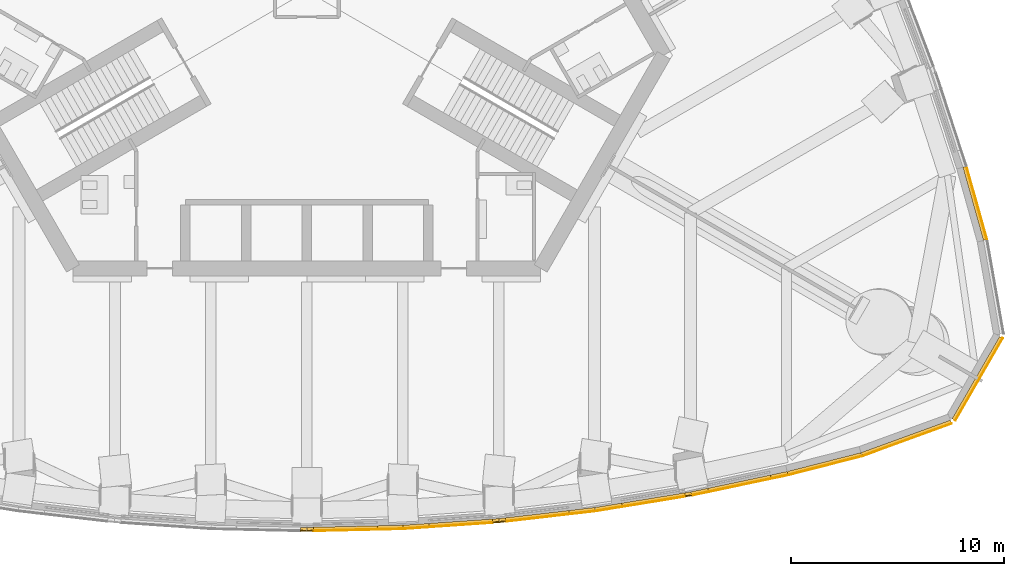
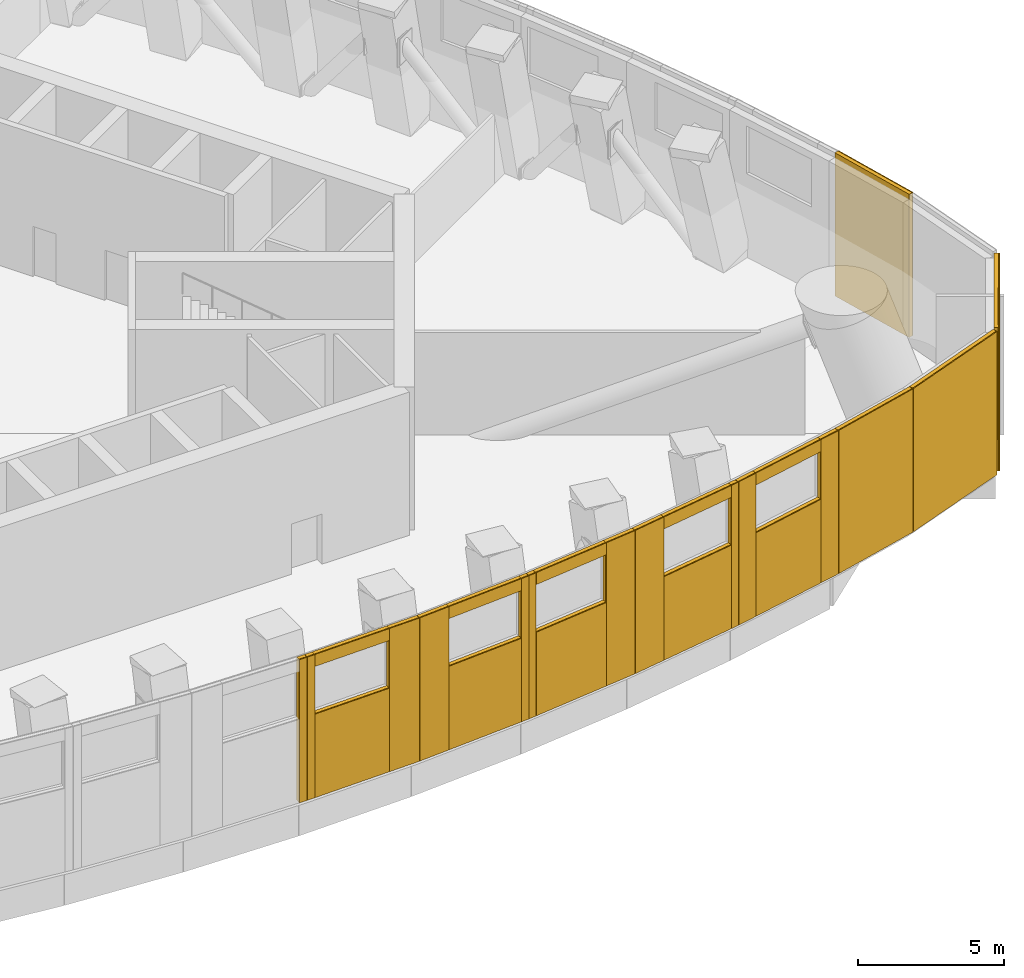
# One storey, part 13 of 22: 50 coverings.
"""IFC4 building model written with IfcOpenShell, lengths in metres."""

from ifc_helpers import new_model, si_unit, direction, frame, origin, origin_2d, place, context, subcontext, project, spatial, rectangle, extrude, material, layer, layer_set, type_object, element, save


model = new_model("IFC4")

# Units and contexts
model_context = context("Model", 3, precision=1e-05, world=origin(), true_north=direction((0.0, 1.0)))
body_context = subcontext(model_context, "Body", "Model", "MODEL_VIEW")
ifc_project = project(units=[si_unit("LENGTHUNIT", "METRE"), si_unit("AREAUNIT", "SQUARE_METRE"), si_unit("VOLUMEUNIT", "CUBIC_METRE"), si_unit("PLANEANGLEUNIT", "RADIAN"), si_unit("MASSUNIT", "GRAM", prefix="KILO")], contexts=[model_context])

# Site, building, storey
site_placement = place(None, origin())
site = spatial("IfcSite", under=ifc_project, at=site_placement, CompositionType="ELEMENT")
building_placement = place(site_placement, origin())
building = spatial("IfcBuilding", under=site, at=building_placement, Name="Trefoil Bronze Tower", CompositionType="ELEMENT")
storey_placement = place(building_placement, frame((0.0, 0.0, 265.300048828125)))
storey = spatial("IfcBuildingStorey", under=building, at=storey_placement, Name="L61", CompositionType="ELEMENT", Elevation=265.300048828125)

# Coverings
ifc_material_1 = material(Name="Bronze-finish aluminium rainscreen panel on aluminium rails", Category="aluminium")
ifc_layer_1 = layer(ifc_material_1, 0.0400390625)
ifc_layer_set_1 = layer_set([ifc_layer_1], Name="Bronze cladding panel 40")
covering_type_1 = type_object("IfcCoveringType", Name="Bronze cladding panel 40", PredefinedType="CLADDING", material=ifc_layer_set_1)
for number, where, z_axis, x_axis, name in (
    (1, (-0.1572265625, -25.317138671875, 0.0), (0.0, 0.0, 1.0), (0.999736116241, -0.022971675665, 0.0), "Cladding panel L61 Face 1.6 piece 2"),
    (2, (0.1572265625, -25.317138671875, 0.0), (0.0, 0.0, 1.0), (0.999736116241, 0.022971675665, 0.0), "Cladding panel L61 Face 1.7 piece 1"),
):
    element("IfcCovering", number, at=place(storey_placement, frame(where, z_axis=z_axis, x_axis=x_axis)), inside=storey, type_object=covering_type_1, Name=name, PredefinedType="CLADDING", context=body_context, shape_type="SweptSolid", body=[
        extrude(rectangle(XDim=0.300048828125, YDim=0.0400390625, at=origin_2d()), origin(), (0.0, 0.0, 1.0), 6.0),
    ])
covering_1_placement = place(storey_placement, frame((3.906982421875, -25.23095703125, 0.0), z_axis=(0.0, 0.0, 1.0), x_axis=(0.999736116241, 0.022971675665, 0.0)))
element("IfcCovering", 3, at=covering_1_placement, inside=storey, type_object=covering_type_1, Name="Cladding panel L61 Face 1.7 piece 2", PredefinedType="CLADDING", context=body_context, shape_type="SweptSolid", body=[
    extrude(rectangle(XDim=1.201171875, YDim=0.0400390625, at=origin_2d()), origin(), (0.0, 0.0, 1.0), 6.0),
])
covering_2_placement = place(storey_placement, frame((1.806884765625, -25.279296875, 0.0), z_axis=(0.0, 0.0, 1.0), x_axis=(0.999736116241, 0.022971675665, 0.0)))
element("IfcCovering", 4, at=covering_2_placement, inside=storey, type_object=covering_type_1, Name="Cladding panel L61 Face 1.7 piece 3", PredefinedType="CLADDING", context=body_context, shape_type="SweptSolid", body=[
    extrude(rectangle(XDim=3.0, YDim=0.0400390625, at=origin_2d()), origin(), (0.0, 0.0, 1.0), 3.5),
])
covering_3_placement = place(storey_placement, frame((1.806884765625, -25.279296875, 5.5), z_axis=(0.0, 0.0, 1.0), x_axis=(0.999736116241, 0.022971675665, 0.0)))
element("IfcCovering", 5, at=covering_3_placement, inside=storey, type_object=covering_type_1, Name="Cladding panel L61 Face 1.7 piece 4", PredefinedType="CLADDING", context=body_context, shape_type="SweptSolid", body=[
    extrude(rectangle(XDim=3.0, YDim=0.0400390625, at=origin_2d()), origin(), (0.0, 0.0, 1.0), 0.5),
])
covering_4_placement = place(storey_placement, frame((5.1259765625, -25.1748046875, 0.0), z_axis=(0.0, 0.0, 1.0), x_axis=(0.997622528046, 0.068915103818, 0.0)))
element("IfcCovering", 6, at=covering_4_placement, inside=storey, type_object=covering_type_1, Name="Cladding panel L61 Face 1.8 piece 1", PredefinedType="CLADDING", context=body_context, shape_type="SweptSolid", body=[
    extrude(rectangle(XDim=1.210693359375, YDim=0.0400390625, at=origin_2d()), origin(), (0.0, 0.0, 1.0), 6.0),
])
covering_5_placement = place(storey_placement, frame((8.872314453125, -24.916015625, 0.0), z_axis=(0.0, 0.0, 1.0), x_axis=(0.997622528046, 0.068915103818, 0.0)))
element("IfcCovering", 7, at=covering_5_placement, inside=storey, type_object=covering_type_1, Name="Cladding panel L61 Face 1.8 piece 2", PredefinedType="CLADDING", context=body_context, shape_type="SweptSolid", body=[
    extrude(rectangle(XDim=0.300048828125, YDim=0.0400390625, at=origin_2d()), origin(), (0.0, 0.0, 1.0), 6.0),
])
covering_6_placement = place(storey_placement, frame((7.226318359375, -25.02978515625, 0.0), z_axis=(0.0, 0.0, 1.0), x_axis=(0.997622528046, 0.068915103818, 0.0)))
element("IfcCovering", 8, at=covering_6_placement, inside=storey, type_object=covering_type_1, Name="Cladding panel L61 Face 1.8 piece 3", PredefinedType="CLADDING", context=body_context, shape_type="SweptSolid", body=[
    extrude(rectangle(XDim=3.0, YDim=0.0400390625, at=origin_2d()), origin(), (0.0, 0.0, 1.0), 3.5),
])
covering_7_placement = place(storey_placement, frame((7.226318359375, -25.02978515625, 5.5), z_axis=(0.0, 0.0, 1.0), x_axis=(0.997622528046, 0.068915103818, 0.0)))
element("IfcCovering", 9, at=covering_7_placement, inside=storey, type_object=covering_type_1, Name="Cladding panel L61 Face 1.8 piece 4", PredefinedType="CLADDING", context=body_context, shape_type="SweptSolid", body=[
    extrude(rectangle(XDim=3.0, YDim=0.0400390625, at=origin_2d()), origin(), (0.0, 0.0, 1.0), 0.5),
])
covering_8_placement = place(storey_placement, frame((9.185791015625, -24.886962890625, 0.0), z_axis=(0.0, 0.0, 1.0), x_axis=(0.993381831721, 0.114858767216, 0.0)))
element("IfcCovering", 10, at=covering_8_placement, inside=storey, type_object=covering_type_1, Name="Cladding panel L61 Face 1.9 piece 1", PredefinedType="CLADDING", context=body_context, shape_type="SweptSolid", body=[
    extrude(rectangle(XDim=0.300048828125, YDim=0.0400390625, at=origin_2d()), origin(), (0.0, 0.0, 1.0), 6.0),
])
covering_9_placement = place(storey_placement, frame((12.92578125, -24.45458984375, 0.0), z_axis=(0.0, 0.0, 1.0), x_axis=(0.993381831721, 0.114858767216, 0.0)))
element("IfcCovering", 11, at=covering_9_placement, inside=storey, type_object=covering_type_1, Name="Cladding panel L61 Face 1.9 piece 2", PredefinedType="CLADDING", context=body_context, shape_type="SweptSolid", body=[
    extrude(rectangle(XDim=1.22998046875, YDim=0.0400390625, at=origin_2d()), origin(), (0.0, 0.0, 1.0), 6.0),
])
covering_10_placement = place(storey_placement, frame((10.824951171875, -24.697509765625, 0.0), z_axis=(0.0, 0.0, 1.0), x_axis=(0.993381831721, 0.114858767216, 0.0)))
element("IfcCovering", 12, at=covering_10_placement, inside=storey, type_object=covering_type_1, Name="Cladding panel L61 Face 1.9 piece 3", PredefinedType="CLADDING", context=body_context, shape_type="SweptSolid", body=[
    extrude(rectangle(XDim=3.0, YDim=0.0400390625, at=origin_2d()), origin(), (0.0, 0.0, 1.0), 3.5),
])
covering_11_placement = place(storey_placement, frame((10.824951171875, -24.697509765625, 5.5), z_axis=(0.0, 0.0, 1.0), x_axis=(0.993381831721, 0.114858767216, 0.0)))
element("IfcCovering", 13, at=covering_11_placement, inside=storey, type_object=covering_type_1, Name="Cladding panel L61 Face 1.9 piece 4", PredefinedType="CLADDING", context=body_context, shape_type="SweptSolid", body=[
    extrude(rectangle(XDim=3.0, YDim=0.0400390625, at=origin_2d()), origin(), (0.0, 0.0, 1.0), 0.5),
])
covering_12_placement = place(storey_placement, frame((14.1728515625, -24.28076171875, 0.0), z_axis=(0.0, 0.0, 1.0), x_axis=(0.986986549525, 0.160802832865, 0.0)))
element("IfcCovering", 14, at=covering_12_placement, inside=storey, type_object=covering_type_1, Name="Cladding panel L61 Face 1.10 piece 1", PredefinedType="CLADDING", context=body_context, shape_type="SweptSolid", body=[
    extrude(rectangle(XDim=1.25927734375, YDim=0.0400390625, at=origin_2d()), origin(), (0.0, 0.0, 1.0), 6.0),
])
covering_13_placement = place(storey_placement, frame((17.9033203125, -23.6728515625, 0.0), z_axis=(0.0, 0.0, 1.0), x_axis=(0.986986549525, 0.160802832865, 0.0)))
element("IfcCovering", 15, at=covering_13_placement, inside=storey, type_object=covering_type_1, Name="Cladding panel L61 Face 1.10 piece 2", PredefinedType="CLADDING", context=body_context, shape_type="SweptSolid", body=[
    extrude(rectangle(XDim=0.300048828125, YDim=0.0400390625, at=origin_2d()), origin(), (0.0, 0.0, 1.0), 6.0),
])
covering_14_placement = place(storey_placement, frame((16.27490234375, -23.938232421875, 0.0), z_axis=(0.0, 0.0, 1.0), x_axis=(0.986986549525, 0.160802832865, 0.0)))
element("IfcCovering", 16, at=covering_14_placement, inside=storey, type_object=covering_type_1, Name="Cladding panel L61 Face 1.10 piece 3", PredefinedType="CLADDING", context=body_context, shape_type="SweptSolid", body=[
    extrude(rectangle(XDim=3.0, YDim=0.0400390625, at=origin_2d()), origin(), (0.0, 0.0, 1.0), 3.5),
])
covering_15_placement = place(storey_placement, frame((16.27490234375, -23.938232421875, 5.5), z_axis=(0.0, 0.0, 1.0), x_axis=(0.986986549525, 0.160802832865, 0.0)))
element("IfcCovering", 17, at=covering_15_placement, inside=storey, type_object=covering_type_1, Name="Cladding panel L61 Face 1.10 piece 4", PredefinedType="CLADDING", context=body_context, shape_type="SweptSolid", body=[
    extrude(rectangle(XDim=3.0, YDim=0.0400390625, at=origin_2d()), origin(), (0.0, 0.0, 1.0), 0.5),
])
for number, where, z_axis, x_axis, name in (
    (18, (18.457275390625, -23.563232421875, 0.0), (0.0, 0.0, 1.0), (0.97839433593, 0.206747487096, 0.0), "Cladding panel L61 Face 1.11 piece 1"),
    (19, (22.175048828125, -22.77783203125, 0.0), (0.0, 0.0, 1.0), (0.97839433593, 0.206747487096, 0.0), "Cladding panel L61 Face 1.11 piece 2"),
):
    element("IfcCovering", number, at=place(storey_placement, frame(where, z_axis=z_axis, x_axis=x_axis)), inside=storey, type_object=covering_type_1, Name=name, PredefinedType="CLADDING", context=body_context, shape_type="SweptSolid", body=[
        extrude(rectangle(XDim=0.7998046875, YDim=0.0400390625, at=origin_2d()), origin(), (0.0, 0.0, 1.0), 6.0),
    ])
covering_16_placement = place(storey_placement, frame((20.316162109375, -23.170654296875, 0.0), z_axis=(0.0, 0.0, 1.0), x_axis=(0.97839433593, 0.206747487096, 0.0)))
element("IfcCovering", 20, at=covering_16_placement, inside=storey, type_object=covering_type_1, Name="Cladding panel L61 Face 1.11 piece 3", PredefinedType="CLADDING", context=body_context, shape_type="SweptSolid", body=[
    extrude(rectangle(XDim=3.0, YDim=0.0400390625, at=origin_2d()), origin(), (0.0, 0.0, 1.0), 3.5),
])
covering_17_placement = place(storey_placement, frame((20.316162109375, -23.170654296875, 5.5), z_axis=(0.0, 0.0, 1.0), x_axis=(0.97839433593, 0.206747487096, 0.0)))
element("IfcCovering", 21, at=covering_17_placement, inside=storey, type_object=covering_type_1, Name="Cladding panel L61 Face 1.11 piece 4", PredefinedType="CLADDING", context=body_context, shape_type="SweptSolid", body=[
    extrude(rectangle(XDim=3.0, YDim=0.0400390625, at=origin_2d()), origin(), (0.0, 0.0, 1.0), 0.5),
])
covering_18_placement = place(storey_placement, frame((24.3056640625, -22.25146484375, 0.0), z_axis=(0.0, 0.0, 1.0), x_axis=(0.968934035402, 0.247319297752, 0.0)))
element("IfcCovering", 22, at=covering_18_placement, inside=storey, type_object=covering_type_1, Name="Cladding panel L61 Face 1.12 piece 1", PredefinedType="CLADDING", context=body_context, shape_type="SweptSolid", body=[
    extrude(rectangle(XDim=3.563720703125, YDim=0.0400390625, at=origin_2d()), origin(), (0.0, 0.0, 1.0), 6.0),
])
for number, where, z_axis, x_axis, name in (
    (23, (28.15673828125, -21.0390625, 0.0), (0.0, 0.0, 1.0), (0.939692620792, 0.342020143309, 0.0), "Cladding panel L61 Corner 1.1 piece 1"),
    (24, (31.533447265625, -18.205810546875, 0.0), (0.0, 0.0, 1.0), (0.499999999894, 0.866025403846, 0.0), "Cladding panel L61 Corner 1.2 piece 1"),
):
    element("IfcCovering", number, at=place(storey_placement, frame(where, z_axis=z_axis, x_axis=x_axis)), inside=storey, type_object=covering_type_1, Name=name, PredefinedType="CLADDING", context=body_context, shape_type="SweptSolid", body=[
        extrude(rectangle(XDim=4.457763671875, YDim=0.0400390625, at=origin_2d()), origin(), (0.0, 0.0, 1.0), 6.0),
    ])
covering_19_placement = place(storey_placement, frame((31.423095703125, -9.923583984375, 0.0), z_axis=(0.0, 0.0, 1.0), x_axis=(-0.270282222985, 0.96278113813, 0.0)))
element("IfcCovering", 25, at=covering_19_placement, inside=storey, type_object=covering_type_1, Name="Cladding panel L61 Face 2.1 piece 1", PredefinedType="CLADDING", context=body_context, shape_type="SweptSolid", body=[
    extrude(rectangle(XDim=3.563720703125, YDim=0.0400390625, at=origin_2d()), origin(), (0.0, 0.0, 1.0), 6.0),
])
ifc_material_2 = material(Name="Non-combustible mineral wool slab", Category="insulation")
ifc_layer_2 = layer(ifc_material_2, 0.14990234375)
ifc_layer_set_2 = layer_set([ifc_layer_2], Name="Rainscreen insulation 150")
covering_type_2 = type_object("IfcCoveringType", Name="Rainscreen insulation 150", PredefinedType="INSULATION", material=ifc_layer_set_2)
for number, where, z_axis, x_axis, name in (
    (26, (-0.155029296875, -25.22216796875, 0.0), (0.0, 0.0, 1.0), (0.999736116241, -0.022971675665, 0.0), "Insulation L61 Face 1.6 piece 2"),
    (27, (0.155029296875, -25.22216796875, 0.0), (0.0, 0.0, 1.0), (0.999736116241, 0.022971675665, 0.0), "Insulation L61 Face 1.7 piece 1"),
):
    element("IfcCovering", number, at=place(storey_placement, frame(where, z_axis=z_axis, x_axis=x_axis)), inside=storey, type_object=covering_type_2, Name=name, PredefinedType="INSULATION", context=body_context, shape_type="SweptSolid", body=[
        extrude(rectangle(XDim=0.300048828125, YDim=0.14990234375, at=origin_2d()), origin(), (0.0, 0.0, 1.0), 6.0),
    ])
covering_20_placement = place(storey_placement, frame((3.90478515625, -25.135986328125, 0.0), z_axis=(0.0, 0.0, 1.0), x_axis=(0.999736116241, 0.022971675665, 0.0)))
element("IfcCovering", 28, at=covering_20_placement, inside=storey, type_object=covering_type_2, Name="Insulation L61 Face 1.7 piece 2", PredefinedType="INSULATION", context=body_context, shape_type="SweptSolid", body=[
    extrude(rectangle(XDim=1.201171875, YDim=0.14990234375, at=origin_2d()), origin(), (0.0, 0.0, 1.0), 6.0),
])
covering_21_placement = place(storey_placement, frame((1.8046875, -25.184326171875, 0.0), z_axis=(0.0, 0.0, 1.0), x_axis=(0.999736116241, 0.022971675665, 0.0)))
element("IfcCovering", 29, at=covering_21_placement, inside=storey, type_object=covering_type_2, Name="Insulation L61 Face 1.7 piece 3", PredefinedType="INSULATION", context=body_context, shape_type="SweptSolid", body=[
    extrude(rectangle(XDim=3.0, YDim=0.14990234375, at=origin_2d()), origin(), (0.0, 0.0, 1.0), 3.5),
])
covering_22_placement = place(storey_placement, frame((1.8046875, -25.184326171875, 5.5), z_axis=(0.0, 0.0, 1.0), x_axis=(0.999736116241, 0.022971675665, 0.0)))
element("IfcCovering", 30, at=covering_22_placement, inside=storey, type_object=covering_type_2, Name="Insulation L61 Face 1.7 piece 4", PredefinedType="INSULATION", context=body_context, shape_type="SweptSolid", body=[
    extrude(rectangle(XDim=3.0, YDim=0.14990234375, at=origin_2d()), origin(), (0.0, 0.0, 1.0), 0.5),
])
covering_23_placement = place(storey_placement, frame((5.119384765625, -25.080078125, 0.0), z_axis=(0.0, 0.0, 1.0), x_axis=(0.997622528046, 0.068915103818, 0.0)))
element("IfcCovering", 31, at=covering_23_placement, inside=storey, type_object=covering_type_2, Name="Insulation L61 Face 1.8 piece 1", PredefinedType="INSULATION", context=body_context, shape_type="SweptSolid", body=[
    extrude(rectangle(XDim=1.210693359375, YDim=0.14990234375, at=origin_2d()), origin(), (0.0, 0.0, 1.0), 6.0),
])
covering_24_placement = place(storey_placement, frame((8.865966796875, -24.8212890625, 0.0), z_axis=(0.0, 0.0, 1.0), x_axis=(0.997622528046, 0.068915103818, 0.0)))
element("IfcCovering", 32, at=covering_24_placement, inside=storey, type_object=covering_type_2, Name="Insulation L61 Face 1.8 piece 2", PredefinedType="INSULATION", context=body_context, shape_type="SweptSolid", body=[
    extrude(rectangle(XDim=0.300048828125, YDim=0.14990234375, at=origin_2d()), origin(), (0.0, 0.0, 1.0), 6.0),
])
covering_25_placement = place(storey_placement, frame((7.2197265625, -24.934814453125, 0.0), z_axis=(0.0, 0.0, 1.0), x_axis=(0.997622528046, 0.068915103818, 0.0)))
element("IfcCovering", 33, at=covering_25_placement, inside=storey, type_object=covering_type_2, Name="Insulation L61 Face 1.8 piece 3", PredefinedType="INSULATION", context=body_context, shape_type="SweptSolid", body=[
    extrude(rectangle(XDim=3.0, YDim=0.14990234375, at=origin_2d()), origin(), (0.0, 0.0, 1.0), 3.5),
])
covering_26_placement = place(storey_placement, frame((7.2197265625, -24.934814453125, 5.5), z_axis=(0.0, 0.0, 1.0), x_axis=(0.997622528046, 0.068915103818, 0.0)))
element("IfcCovering", 34, at=covering_26_placement, inside=storey, type_object=covering_type_2, Name="Insulation L61 Face 1.8 piece 4", PredefinedType="INSULATION", context=body_context, shape_type="SweptSolid", body=[
    extrude(rectangle(XDim=3.0, YDim=0.14990234375, at=origin_2d()), origin(), (0.0, 0.0, 1.0), 0.5),
])
covering_27_placement = place(storey_placement, frame((9.1748046875, -24.792724609375, 0.0), z_axis=(0.0, 0.0, 1.0), x_axis=(0.993381831721, 0.114858767216, 0.0)))
element("IfcCovering", 35, at=covering_27_placement, inside=storey, type_object=covering_type_2, Name="Insulation L61 Face 1.9 piece 1", PredefinedType="INSULATION", context=body_context, shape_type="SweptSolid", body=[
    extrude(rectangle(XDim=0.300048828125, YDim=0.14990234375, at=origin_2d()), origin(), (0.0, 0.0, 1.0), 6.0),
])
covering_28_placement = place(storey_placement, frame((12.9150390625, -24.360107421875, 0.0), z_axis=(0.0, 0.0, 1.0), x_axis=(0.993381831721, 0.114858767216, 0.0)))
element("IfcCovering", 36, at=covering_28_placement, inside=storey, type_object=covering_type_2, Name="Insulation L61 Face 1.9 piece 2", PredefinedType="INSULATION", context=body_context, shape_type="SweptSolid", body=[
    extrude(rectangle(XDim=1.22998046875, YDim=0.14990234375, at=origin_2d()), origin(), (0.0, 0.0, 1.0), 6.0),
])
covering_29_placement = place(storey_placement, frame((10.81396484375, -24.60302734375, 0.0), z_axis=(0.0, 0.0, 1.0), x_axis=(0.993381831721, 0.114858767216, 0.0)))
element("IfcCovering", 37, at=covering_29_placement, inside=storey, type_object=covering_type_2, Name="Insulation L61 Face 1.9 piece 3", PredefinedType="INSULATION", context=body_context, shape_type="SweptSolid", body=[
    extrude(rectangle(XDim=3.0, YDim=0.14990234375, at=origin_2d()), origin(), (0.0, 0.0, 1.0), 3.5),
])
covering_30_placement = place(storey_placement, frame((10.81396484375, -24.60302734375, 5.5), z_axis=(0.0, 0.0, 1.0), x_axis=(0.993381831721, 0.114858767216, 0.0)))
element("IfcCovering", 38, at=covering_30_placement, inside=storey, type_object=covering_type_2, Name="Insulation L61 Face 1.9 piece 4", PredefinedType="INSULATION", context=body_context, shape_type="SweptSolid", body=[
    extrude(rectangle(XDim=3.0, YDim=0.14990234375, at=origin_2d()), origin(), (0.0, 0.0, 1.0), 0.5),
])
covering_31_placement = place(storey_placement, frame((14.15771484375, -24.18701171875, 0.0), z_axis=(0.0, 0.0, 1.0), x_axis=(0.986986549525, 0.160802832865, 0.0)))
element("IfcCovering", 39, at=covering_31_placement, inside=storey, type_object=covering_type_2, Name="Insulation L61 Face 1.10 piece 1", PredefinedType="INSULATION", context=body_context, shape_type="SweptSolid", body=[
    extrude(rectangle(XDim=1.25927734375, YDim=0.14990234375, at=origin_2d()), origin(), (0.0, 0.0, 1.0), 6.0),
])
covering_32_placement = place(storey_placement, frame((17.88818359375, -23.5791015625, 0.0), z_axis=(0.0, 0.0, 1.0), x_axis=(0.986986549525, 0.160802832865, 0.0)))
element("IfcCovering", 40, at=covering_32_placement, inside=storey, type_object=covering_type_2, Name="Insulation L61 Face 1.10 piece 2", PredefinedType="INSULATION", context=body_context, shape_type="SweptSolid", body=[
    extrude(rectangle(XDim=0.300048828125, YDim=0.14990234375, at=origin_2d()), origin(), (0.0, 0.0, 1.0), 6.0),
])
covering_33_placement = place(storey_placement, frame((16.259521484375, -23.844482421875, 0.0), z_axis=(0.0, 0.0, 1.0), x_axis=(0.986986549525, 0.160802832865, 0.0)))
element("IfcCovering", 41, at=covering_33_placement, inside=storey, type_object=covering_type_2, Name="Insulation L61 Face 1.10 piece 3", PredefinedType="INSULATION", context=body_context, shape_type="SweptSolid", body=[
    extrude(rectangle(XDim=3.0, YDim=0.14990234375, at=origin_2d()), origin(), (0.0, 0.0, 1.0), 3.5),
])
covering_34_placement = place(storey_placement, frame((16.259521484375, -23.844482421875, 5.5), z_axis=(0.0, 0.0, 1.0), x_axis=(0.986986549525, 0.160802832865, 0.0)))
element("IfcCovering", 42, at=covering_34_placement, inside=storey, type_object=covering_type_2, Name="Insulation L61 Face 1.10 piece 4", PredefinedType="INSULATION", context=body_context, shape_type="SweptSolid", body=[
    extrude(rectangle(XDim=3.0, YDim=0.14990234375, at=origin_2d()), origin(), (0.0, 0.0, 1.0), 0.5),
])
for number, where, z_axis, x_axis, name in (
    (43, (18.437744140625, -23.470458984375, 0.0), (0.0, 0.0, 1.0), (0.97839433593, 0.206747487096, 0.0), "Insulation L61 Face 1.11 piece 1"),
    (44, (22.1552734375, -22.684814453125, 0.0), (0.0, 0.0, 1.0), (0.97839433593, 0.206747487096, 0.0), "Insulation L61 Face 1.11 piece 2"),
):
    element("IfcCovering", number, at=place(storey_placement, frame(where, z_axis=z_axis, x_axis=x_axis)), inside=storey, type_object=covering_type_2, Name=name, PredefinedType="INSULATION", context=body_context, shape_type="SweptSolid", body=[
        extrude(rectangle(XDim=0.7998046875, YDim=0.14990234375, at=origin_2d()), origin(), (0.0, 0.0, 1.0), 6.0),
    ])
covering_35_placement = place(storey_placement, frame((20.296630859375, -23.07763671875, 0.0), z_axis=(0.0, 0.0, 1.0), x_axis=(0.97839433593, 0.206747487096, 0.0)))
element("IfcCovering", 45, at=covering_35_placement, inside=storey, type_object=covering_type_2, Name="Insulation L61 Face 1.11 piece 3", PredefinedType="INSULATION", context=body_context, shape_type="SweptSolid", body=[
    extrude(rectangle(XDim=3.0, YDim=0.14990234375, at=origin_2d()), origin(), (0.0, 0.0, 1.0), 3.5),
])
covering_36_placement = place(storey_placement, frame((20.296630859375, -23.07763671875, 5.5), z_axis=(0.0, 0.0, 1.0), x_axis=(0.97839433593, 0.206747487096, 0.0)))
element("IfcCovering", 46, at=covering_36_placement, inside=storey, type_object=covering_type_2, Name="Insulation L61 Face 1.11 piece 4", PredefinedType="INSULATION", context=body_context, shape_type="SweptSolid", body=[
    extrude(rectangle(XDim=3.0, YDim=0.14990234375, at=origin_2d()), origin(), (0.0, 0.0, 1.0), 0.5),
])
covering_37_placement = place(storey_placement, frame((24.2822265625, -22.159423828125, 0.0), z_axis=(0.0, 0.0, 1.0), x_axis=(0.968934035402, 0.247319297752, 0.0)))
element("IfcCovering", 47, at=covering_37_placement, inside=storey, type_object=covering_type_2, Name="Insulation L61 Face 1.12 piece 1", PredefinedType="INSULATION", context=body_context, shape_type="SweptSolid", body=[
    extrude(rectangle(XDim=3.563720703125, YDim=0.14990234375, at=origin_2d()), origin(), (0.0, 0.0, 1.0), 6.0),
])
for number, where, z_axis, x_axis, name in (
    (48, (28.124267578125, -20.94970703125, 0.0), (0.0, 0.0, 1.0), (0.939692620792, 0.342020143309, 0.0), "Insulation L61 Corner 1.1 piece 1"),
    (49, (31.451171875, -18.158203125, 0.0), (0.0, 0.0, 1.0), (0.499999999894, 0.866025403846, 0.0), "Insulation L61 Corner 1.2 piece 1"),
):
    element("IfcCovering", number, at=place(storey_placement, frame(where, z_axis=z_axis, x_axis=x_axis)), inside=storey, type_object=covering_type_2, Name=name, PredefinedType="INSULATION", context=body_context, shape_type="SweptSolid", body=[
        extrude(rectangle(XDim=4.457763671875, YDim=0.14990234375, at=origin_2d()), origin(), (0.0, 0.0, 1.0), 6.0),
    ])
covering_38_placement = place(storey_placement, frame((31.33154296875, -9.94921875, 0.0), z_axis=(0.0, 0.0, 1.0), x_axis=(-0.270282222985, 0.96278113813, 0.0)))
element("IfcCovering", 50, at=covering_38_placement, inside=storey, type_object=covering_type_2, Name="Insulation L61 Face 2.1 piece 1", PredefinedType="INSULATION", context=body_context, shape_type="SweptSolid", body=[
    extrude(rectangle(XDim=3.563720703125, YDim=0.14990234375, at=origin_2d()), origin(), (0.0, 0.0, 1.0), 6.0),
])

save(model, "model.ifc")
